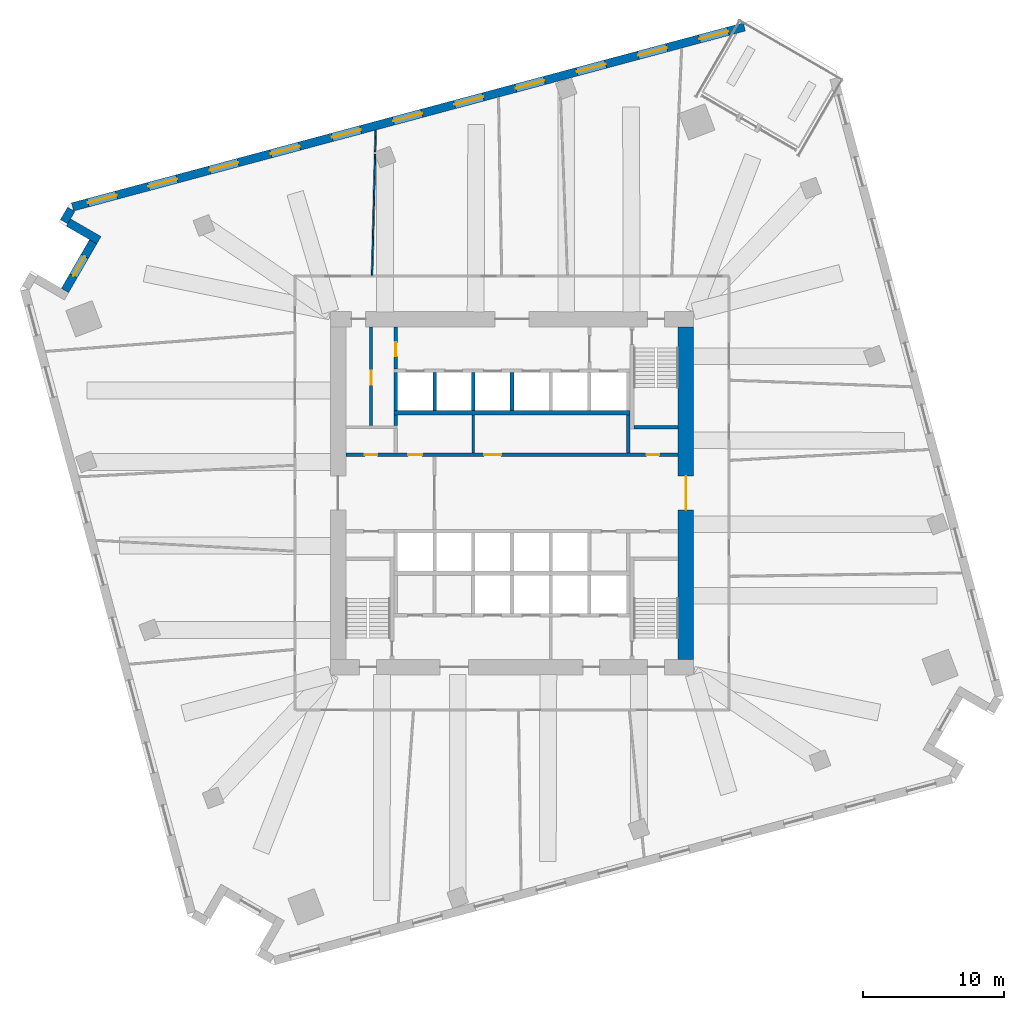
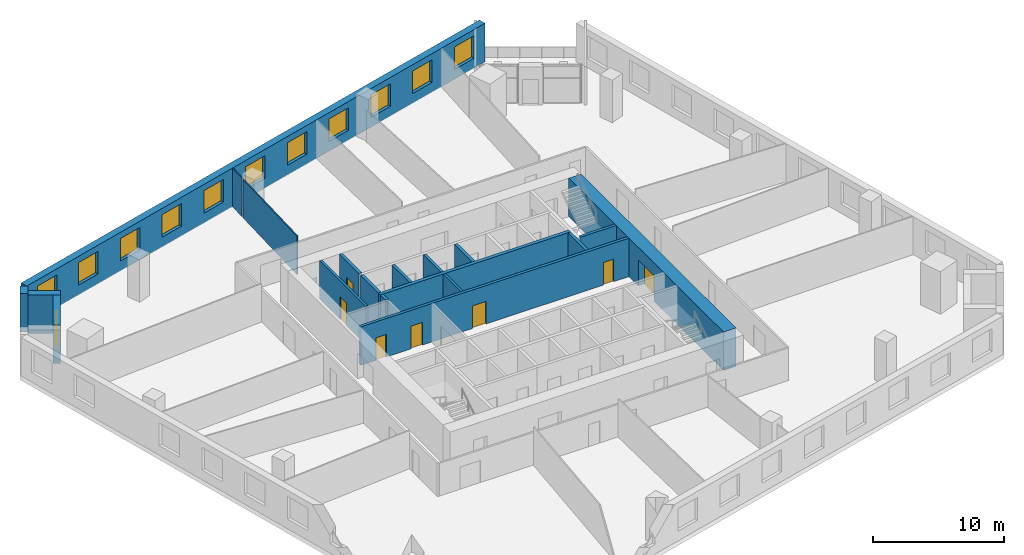
# One storey, part 6 of 11: 19 walls, 12 windows, 7 doors, 19 openings.
"""IFC4 building model written with IfcOpenShell, lengths in metres."""

from ifc_helpers import new_model, si_unit, direction, frame, frame_2d, origin, place, context, subcontext, project, spatial, rectangle, extrude, material, layer, layer_set, type_object, element, fill, save


model = new_model("IFC4")

# Units and contexts
model_context = context("Model", 3, precision=1e-05, world=origin(), true_north=direction((0.0, 1.0)))
body_context = subcontext(model_context, "Body", "Model", "MODEL_VIEW")
ifc_project = project(units=[si_unit("LENGTHUNIT", "METRE"), si_unit("AREAUNIT", "SQUARE_METRE"), si_unit("VOLUMEUNIT", "CUBIC_METRE"), si_unit("PLANEANGLEUNIT", "RADIAN"), si_unit("MASSUNIT", "GRAM", prefix="KILO")], contexts=[model_context])

# Site, building, storey
site_placement = place(None, origin())
site = spatial("IfcSite", under=ifc_project, at=site_placement, CompositionType="ELEMENT")
building_placement = place(site_placement, origin())
building = spatial("IfcBuilding", under=site, at=building_placement, Name="Dilmun Exchange Tower", CompositionType="ELEMENT")
storey_placement = place(building_placement, frame((0.0, 0.0, 82.10009765625)))
storey = spatial("IfcBuildingStorey", under=building, at=storey_placement, Name="L18", CompositionType="ELEMENT", Elevation=82.10009765625)

# Wall
ifc_material_1 = material(Name="Concrete C40/50", Category="concrete")
ifc_layer_1 = layer(ifc_material_1, 0.199951171875)
ifc_layer_set_1 = layer_set([ifc_layer_1], Name="Concrete C40/50")
wall_type_1 = type_object("IfcWallType", Name="Core partition wall 200", PredefinedType="PARTITIONING", material=ifc_layer_set_1)
wall_1_placement = place(storey_placement, frame((-2.75, 2.85498046875, 0.0), z_axis=(0.0, 0.0, 1.0), x_axis=(0.0, 1.0, 0.0)))
element("IfcWall", 1, at=wall_1_placement, inside=storey, type_object=wall_type_1, Name="L18 core partition wall 11", PredefinedType="PARTITIONING", context=body_context, shape_type="SweptSolid", body=[
    extrude(rectangle(XDim=2.68994140625, YDim=0.199951171875, at=frame_2d((1.344970703125, 0.0))), origin(), (0.0, 0.0, 1.0), 3.579833984375),
])

# Wall, opening, door
wall_2_placement = place(storey_placement, frame((-10.0, 4.780029296875, 0.0), z_axis=(0.0, 0.0, 1.0), x_axis=(0.0, 1.0, 0.0)))
wall_2 = element("IfcWall", 2, at=wall_2_placement, inside=storey, type_object=wall_type_1, Name="L18 core partition wall 14", PredefinedType="PARTITIONING", context=body_context, shape_type="SweptSolid", body=[
    extrude(rectangle(XDim=7.014892578125, YDim=0.199951171875, at=frame_2d((3.50732421875, 0.0))), origin(), (0.0, 0.0, 1.0), 3.579833984375),
])
opening_1_placement = place(wall_2_placement, frame((2.919921875, 0.0, 0.0)))
opening_1 = element("IfcOpeningElement", 3, at=opening_1_placement, cuts=wall_2, Name="Opening CD4", PredefinedType="OPENING", context=body_context, shape_type="SweptSolid", body=[
    extrude(rectangle(XDim=1.0, YDim=2.10009765625, at=frame_2d((0.5, 1.050048828125))), frame((0.0, 0.10986328125, 0.0), z_axis=(0.0, -1.0, 0.0), x_axis=(1.0, 0.0, 0.0)), (0.0, 0.0, 1.0), 0.219970703125),
])
ifc_material_2 = material(Name="Fire-rated steel door set", Category="steel")
door_type_1 = type_object("IfcDoorType", Name="Core room door 1000x2100", OperationType="SINGLE_SWING_LEFT", PredefinedType="DOOR", material=ifc_material_2)
door_1_placement = place(opening_1_placement, origin())
door_1 = element("IfcDoor", 4, at=door_1_placement, inside=storey, type_object=door_type_1, Name="L18 door Comms room", OperationType="SINGLE_SWING_LEFT", OverallHeight=2.10009765625, OverallWidth=1.0, PredefinedType="DOOR", context=body_context, shape_type="SweptSolid", body=[
    extrude(rectangle(XDim=1.0, YDim=2.10009765625, at=frame_2d((0.5, 1.050048828125))), frame((0.0, 0.02490234375, 0.0), z_axis=(0.0, -1.0, 0.0), x_axis=(1.0, 0.0, 0.0)), (0.0, 0.0, 1.0), 0.050048828125),
])
fill(opening_1, door_1)

# Wall, openings, doors
ifc_layer_2 = layer(ifc_material_1, 0.25)
ifc_layer_set_2 = layer_set([ifc_layer_2], Name="Concrete C40/50")
wall_type_2 = type_object("IfcWallType", Name="Core partition wall 250", PredefinedType="PARTITIONING", material=ifc_layer_set_2)
wall_3_placement = place(storey_placement, frame((-11.794921875, 2.72509765625, 0.0), z_axis=(0.0, 0.0, 1.0), x_axis=(1.0, 0.0, 0.0)))
wall_3 = element("IfcWall", 5, at=wall_3_placement, inside=storey, type_object=wall_type_2, Name="L18 core partition wall 09", PredefinedType="PARTITIONING", context=body_context, shape_type="SweptSolid", body=[
    extrude(rectangle(XDim=23.58984375, YDim=0.25, at=frame_2d((11.794921875, 0.0))), origin(), (0.0, 0.0, 1.0), 3.579833984375),
])
opening_2_placement = place(wall_3_placement, frame((21.344970703125, 0.0, 0.0)))
opening_2 = element("IfcOpeningElement", 6, at=opening_2_placement, cuts=wall_3, Name="Opening CD6", PredefinedType="OPENING", context=body_context, shape_type="SweptSolid", body=[
    extrude(rectangle(XDim=0.89990234375, YDim=2.10009765625, at=frame_2d((0.449951171875, 1.050048828125))), frame((0.0, 0.135009765625, 0.0), z_axis=(0.0, -1.0, 0.0), x_axis=(1.0, 0.0, 0.0)), (0.0, 0.0, 1.0), 0.27001953125),
])
opening_3_placement = place(wall_3_placement, frame((1.344970703125, 0.0, 0.0)))
opening_3 = element("IfcOpeningElement", 7, at=opening_3_placement, cuts=wall_3, Name="Opening CD6", PredefinedType="OPENING", context=body_context, shape_type="SweptSolid", body=[
    extrude(rectangle(XDim=0.89990234375, YDim=2.10009765625, at=frame_2d((0.449951171875, 1.050048828125))), frame((0.0, 0.135009765625, 0.0), z_axis=(0.0, -1.0, 0.0), x_axis=(1.0, 0.0, 0.0)), (0.0, 0.0, 1.0), 0.27001953125),
])
opening_4_placement = place(wall_3_placement, frame((4.419921875, 0.0, 0.0)))
opening_4 = element("IfcOpeningElement", 8, at=opening_4_placement, cuts=wall_3, Name="Opening CD4", PredefinedType="OPENING", context=body_context, shape_type="SweptSolid", body=[
    extrude(rectangle(XDim=1.0, YDim=2.10009765625, at=frame_2d((0.5, 1.050048828125))), frame((0.0, 0.135009765625, 0.0), z_axis=(0.0, -1.0, 0.0), x_axis=(1.0, 0.0, 0.0)), (0.0, 0.0, 1.0), 0.27001953125),
])
opening_5_placement = place(wall_3_placement, frame((9.820068359375, 0.0, 0.0)))
opening_5 = element("IfcOpeningElement", 9, at=opening_5_placement, cuts=wall_3, Name="Opening CD3", PredefinedType="OPENING", context=body_context, shape_type="SweptSolid", body=[
    extrude(rectangle(XDim=1.199951171875, YDim=2.10009765625, at=frame_2d((0.60009765625, 1.050048828125))), frame((0.0, 0.135009765625, 0.0), z_axis=(0.0, -1.0, 0.0), x_axis=(1.0, 0.0, 0.0)), (0.0, 0.0, 1.0), 0.27001953125),
])
door_2_placement = place(opening_4_placement, origin())
door_2 = element("IfcDoor", 10, at=door_2_placement, inside=storey, type_object=door_type_1, Name="L18 door Mechanical room", OperationType="SINGLE_SWING_LEFT", OverallHeight=2.10009765625, OverallWidth=1.0, PredefinedType="DOOR", context=body_context, shape_type="SweptSolid", body=[
    extrude(rectangle(XDim=1.0, YDim=2.10009765625, at=frame_2d((0.5, 1.050048828125))), frame((0.0, 0.02490234375, 0.0), z_axis=(0.0, -1.0, 0.0), x_axis=(1.0, 0.0, 0.0)), (0.0, 0.0, 1.0), 0.050048828125),
])
fill(opening_4, door_2)
door_type_2 = type_object("IfcDoorType", Name="Core room door 900x2100", OperationType="SINGLE_SWING_LEFT", PredefinedType="DOOR", material=ifc_material_2)
door_3_placement = place(opening_2_placement, origin())
door_3 = element("IfcDoor", 11, at=door_3_placement, inside=storey, type_object=door_type_2, Name="L18 door Electrical riser", OperationType="SINGLE_SWING_LEFT", OverallHeight=2.10009765625, OverallWidth=0.89990234375, PredefinedType="DOOR", context=body_context, shape_type="SweptSolid", body=[
    extrude(rectangle(XDim=0.89990234375, YDim=2.10009765625, at=frame_2d((0.449951171875, 1.050048828125))), frame((0.0, 0.02490234375, 0.0), z_axis=(0.0, -1.0, 0.0), x_axis=(1.0, 0.0, 0.0)), (0.0, 0.0, 1.0), 0.050048828125),
])
fill(opening_2, door_3)
door_4_placement = place(opening_3_placement, origin())
door_4 = element("IfcDoor", 12, at=door_4_placement, inside=storey, type_object=door_type_2, Name="L18 door Plumbing riser", OperationType="SINGLE_SWING_LEFT", OverallHeight=2.10009765625, OverallWidth=0.89990234375, PredefinedType="DOOR", context=body_context, shape_type="SweptSolid", body=[
    extrude(rectangle(XDim=0.89990234375, YDim=2.10009765625, at=frame_2d((0.449951171875, 1.050048828125))), frame((0.0, 0.02490234375, 0.0), z_axis=(0.0, -1.0, 0.0), x_axis=(1.0, 0.0, 0.0)), (0.0, 0.0, 1.0), 0.050048828125),
])
fill(opening_3, door_4)
door_type_3 = type_object("IfcDoorType", Name="Stair exit door 1200x2100", OperationType="SINGLE_SWING_LEFT", PredefinedType="DOOR", material=ifc_material_2)
door_5_placement = place(opening_5_placement, origin())
door_5 = element("IfcDoor", 13, at=door_5_placement, inside=storey, type_object=door_type_3, Name="L18 door Tenant meeting suite", OperationType="SINGLE_SWING_LEFT", OverallHeight=2.10009765625, OverallWidth=1.199951171875, PredefinedType="DOOR", context=body_context, shape_type="SweptSolid", body=[
    extrude(rectangle(XDim=1.199951171875, YDim=2.10009765625, at=frame_2d((0.60009765625, 1.050048828125))), frame((0.0, 0.02490234375, 0.0), z_axis=(0.0, -1.0, 0.0), x_axis=(1.0, 0.0, 0.0)), (0.0, 0.0, 1.0), 0.050048828125),
])
fill(opening_5, door_5)

# Walls
wall_4_placement = place(storey_placement, frame((8.25, 2.85498046875, 0.0), z_axis=(0.0, 0.0, 1.0), x_axis=(0.0, 1.0, 0.0)))
element("IfcWall", 14, at=wall_4_placement, inside=storey, type_object=wall_type_2, Name="L18 core partition wall 12", PredefinedType="PARTITIONING", context=body_context, shape_type="SweptSolid", body=[
    extrude(rectangle(XDim=2.68994140625, YDim=0.25, at=frame_2d((1.344970703125, 0.0))), origin(), (0.0, 0.0, 1.0), 3.579833984375),
])
wall_5_placement = place(storey_placement, frame((-8.25, 4.780029296875, 0.0), z_axis=(0.0, 0.0, 1.0), x_axis=(0.0, 1.0, 0.0)))
element("IfcWall", 15, at=wall_5_placement, inside=storey, type_object=wall_type_2, Name="L18 core partition wall 15", PredefinedType="PARTITIONING", context=body_context, shape_type="SweptSolid", body=[
    extrude(rectangle(XDim=0.764892578125, YDim=0.25, at=frame_2d((0.38232421875, 0.0))), origin(), (0.0, 0.0, 1.0), 3.579833984375),
])

# Wall, opening, door
wall_6_placement = place(storey_placement, frame((-8.25, 8.804931640625, 0.0), z_axis=(0.0, 0.0, 1.0), x_axis=(0.0, 1.0, 0.0)))
wall_6 = element("IfcWall", 16, at=wall_6_placement, inside=storey, type_object=wall_type_2, Name="L18 core partition wall 16", PredefinedType="PARTITIONING", context=body_context, shape_type="SweptSolid", body=[
    extrude(rectangle(XDim=2.989990234375, YDim=0.25, at=frame_2d((1.4951171875, 0.0))), origin(), (0.0, 0.0, 1.0), 3.579833984375),
])
opening_6_placement = place(wall_6_placement, frame((0.89501953125, 0.0, 0.0)))
opening_6 = element("IfcOpeningElement", 17, at=opening_6_placement, cuts=wall_6, Name="Opening CD4", PredefinedType="OPENING", context=body_context, shape_type="SweptSolid", body=[
    extrude(rectangle(XDim=1.0, YDim=2.10009765625, at=frame_2d((0.5, 1.050048828125))), frame((0.0, 0.135009765625, 0.0), z_axis=(0.0, -1.0, 0.0), x_axis=(1.0, 0.0, 0.0)), (0.0, 0.0, 1.0), 0.27001953125),
])
door_6_placement = place(opening_6_placement, origin())
door_6 = element("IfcDoor", 18, at=door_6_placement, inside=storey, type_object=door_type_1, Name="L18 door Security room", OperationType="SINGLE_SWING_LEFT", OverallHeight=2.10009765625, OverallWidth=1.0, PredefinedType="DOOR", context=body_context, shape_type="SweptSolid", body=[
    extrude(rectangle(XDim=1.0, YDim=2.10009765625, at=frame_2d((0.5, 1.050048828125))), frame((0.0, 0.02490234375, 0.0), z_axis=(0.0, -1.0, 0.0), x_axis=(1.0, 0.0, 0.0)), (0.0, 0.0, 1.0), 0.050048828125),
])
fill(opening_6, door_6)

ifc_material_3 = material(Name="Concrete C80/95", Category="concrete")
ifc_layer_3 = layer(ifc_material_3, 1.10009765625)
ifc_layer_set_3 = layer_set([ifc_layer_3], Name="Concrete C80/95")
wall_type_3 = type_object("IfcWallType", Name="Core shear wall 1100 Concrete C80/95", PredefinedType="SHEAR", material=ifc_layer_set_3)
wall_7_placement = place(storey_placement, frame((12.35009765625, -11.800048828125, 0.0), z_axis=(0.0, 0.0, 1.0), x_axis=(0.0, 1.0, 0.0)))
wall_7 = element("IfcWall", 19, at=wall_7_placement, inside=storey, type_object=wall_type_3, Name="L18 core shear wall E", PredefinedType="SHEAR", context=body_context, shape_type="SweptSolid", body=[
    extrude(rectangle(XDim=23.60009765625, YDim=1.10009765625, at=frame_2d((11.800048828125, 0.0))), origin(), (0.0, 0.0, 1.0), 3.579833984375),
])
opening_7_placement = place(wall_7_placement, frame((10.60009765625, 0.0, 0.0)))
opening_7 = element("IfcOpeningElement", 20, at=opening_7_placement, cuts=wall_7, Name="Opening CD1", PredefinedType="OPENING", context=body_context, shape_type="SweptSolid", body=[
    extrude(rectangle(XDim=2.39990234375, YDim=2.39990234375, at=frame_2d((1.199951171875, 1.199951171875))), frame((0.0, 0.56005859375, 0.0), z_axis=(0.0, -1.0, 0.0), x_axis=(1.0, 0.0, 0.0)), (0.0, 0.0, 1.0), 1.1201171875),
])
door_type_4 = type_object("IfcDoorType", Name="Core lobby door 2400x2400", OperationType="DOUBLE_DOOR_DOUBLE_SWING", PredefinedType="DOOR", material=ifc_material_2)
door_7_placement = place(opening_7_placement, origin())
door_7 = element("IfcDoor", 21, at=door_7_placement, inside=storey, type_object=door_type_4, Name="L18 door Central lift lobby", OperationType="SINGLE_SWING_LEFT", OverallHeight=2.39990234375, OverallWidth=2.39990234375, PredefinedType="DOOR", context=body_context, shape_type="SweptSolid", body=[
    extrude(rectangle(XDim=2.39990234375, YDim=2.39990234375, at=frame_2d((1.199951171875, 1.199951171875))), frame((0.0, 0.02490234375, 0.0), z_axis=(0.0, -1.0, 0.0), x_axis=(1.0, 0.0, 0.0)), (0.0, 0.0, 1.0), 0.050048828125),
])
fill(opening_7, door_7)

# Walls
ifc_layer_4 = layer(ifc_material_1, 0.300048828125)
ifc_layer_set_4 = layer_set([ifc_layer_4], Name="Concrete C40/50")
wall_type_4 = type_object("IfcWallType", Name="Lift shaft shared wall 300", PredefinedType="SOLIDWALL", material=ifc_layer_set_4)
wall_8_placement = place(storey_placement, frame((-8.375, 5.699951171875, 0.0), z_axis=(0.0, 0.0, 1.0), x_axis=(1.0, 0.0, 0.0)))
element("IfcWall", 22, at=wall_8_placement, inside=storey, type_object=wall_type_4, Name="L18 lift shaft rear wall N", PredefinedType="SOLIDWALL", context=body_context, shape_type="SweptSolid", body=[
    extrude(rectangle(XDim=16.75, YDim=0.300048828125, at=frame_2d((8.375, 0.0))), origin(), (0.0, 0.0, 1.0), 3.579833984375),
])
ifc_layer_5 = layer(ifc_material_1, 0.25)
ifc_layer_set_5 = layer_set([ifc_layer_5], Name="Concrete C40/50")
wall_type_5 = type_object("IfcWallType", Name="Lift shaft wall 250", PredefinedType="SOLIDWALL", material=ifc_layer_set_5)
for number, where, z_axis, x_axis, name in (
    (23, (-8.25, 5.85009765625, 0.0), (0.0, 0.0, 1.0), (0.0, 1.0, 0.0), "L18 lift shaft divider N20"),
    (24, (-5.5, 5.85009765625, 0.0), (0.0, 0.0, 1.0), (0.0, 1.0, 0.0), "L18 lift shaft divider N21"),
    (25, (-2.75, 5.85009765625, 0.0), (0.0, 0.0, 1.0), (0.0, 1.0, 0.0), "L18 lift shaft divider N22"),
    (26, (0.0, 5.85009765625, 0.0), (0.0, 0.0, 1.0), (0.0, 1.0, 0.0), "L18 lift shaft divider N23"),
):
    element("IfcWall", number, at=place(storey_placement, frame(where, z_axis=z_axis, x_axis=x_axis)), inside=storey, type_object=wall_type_5, Name=name, PredefinedType="SOLIDWALL", context=body_context, shape_type="SweptSolid", body=[
        extrude(rectangle(XDim=2.699951171875, YDim=0.25, at=frame_2d((1.35009765625, 0.0))), origin(), (0.0, 0.0, 1.0), 3.579833984375),
    ])
ifc_material_4 = material(Name="Partition 100")
ifc_layer_6 = layer(ifc_material_4, 0.10009765625)
ifc_layer_set_6 = layer_set([ifc_layer_6], Name="Partition 100")
wall_type_6 = type_object("IfcWallType", Name="Partition 100", PredefinedType="PARTITIONING", material=ifc_layer_set_6)
wall_9_placement = place(storey_placement, frame((-9.93505859375, 15.476318359375, 0.0), z_axis=(0.0, 0.0, 1.0), x_axis=(0.024996463825, 0.999687539582, 0.0)))
element("IfcWall", 27, at=wall_9_placement, inside=storey, type_object=wall_type_6, Name="Partition", PredefinedType="PARTITIONING", context=body_context, shape_type="SweptSolid", body=[
    extrude(rectangle(XDim=8.565673828125, YDim=0.10009765625, at=frame_2d((4.28271484375, 0.0))), origin(), (0.0, 0.0, 1.0), 3.579833984375),
])
wall_10_placement = place(storey_placement, frame((-9.71630859375, 24.2294921875, 0.0), z_axis=(0.0, 0.0, 1.0), x_axis=(0.025011966744, 0.999687151823, 0.0)))
element("IfcWall", 28, at=wall_10_placement, inside=storey, type_object=wall_type_6, Name="Partition", PredefinedType="PARTITIONING", context=body_context, shape_type="SweptSolid", body=[
    extrude(rectangle(XDim=1.542236328125, YDim=0.10009765625, at=frame_2d((0.77099609375, 0.0))), origin(), (0.0, 0.0, 1.0), 3.579833984375),
])

# Wall, openings, windows
ifc_material_5 = material(Name="Precast concrete C50/60", Category="concrete")
ifc_layer_7 = layer(ifc_material_5, 0.60009765625)
ifc_layer_set_7 = layer_set([ifc_layer_7], Name="Precast concrete C50/60")
wall_type_7 = type_object("IfcWallType", Name="Precast stone-clad wall 600", PredefinedType="STANDARD", material=ifc_layer_set_7)
wall_11_placement = place(storey_placement, frame((16.495849609375, 33.09716796875, 0.0), z_axis=(0.0, 0.0, 1.0), x_axis=(-0.965926333894, -0.258817150689, 0.0)))
wall_11 = element("IfcWall", 29, at=wall_11_placement, inside=storey, type_object=wall_type_7, Name="Facade wall L18-03", PredefinedType="STANDARD", context=body_context, shape_type="SweptSolid", body=[
    extrude(rectangle(XDim=49.375732421875, YDim=0.60009765625, at=frame_2d((24.68798828125, 0.0))), origin(), (0.0, 0.0, 1.0), 3.579833984375),
])
opening_8_placement = place(wall_11_placement, frame((1.199951171875, 0.0, 0.89990234375)))
opening_8 = element("IfcOpeningElement", 30, at=opening_8_placement, cuts=wall_11, Name="Opening W210-210", PredefinedType="OPENING", context=body_context, shape_type="SweptSolid", body=[
    extrude(rectangle(XDim=2.10009765625, YDim=2.10009765625, at=frame_2d((1.050048828125, 1.050048828125))), frame((0.0, 0.31005859375, 0.0), z_axis=(0.0, -1.0, 0.0), x_axis=(1.0, 0.0, 0.0)), (0.0, 0.0, 1.0), 0.6201171875),
])
opening_9_placement = place(wall_11_placement, frame((5.699951171875, 0.0, 0.89990234375)))
opening_9 = element("IfcOpeningElement", 31, at=opening_9_placement, cuts=wall_11, Name="Opening W210-210", PredefinedType="OPENING", context=body_context, shape_type="SweptSolid", body=[
    extrude(rectangle(XDim=2.10009765625, YDim=2.10009765625, at=frame_2d((1.050048828125, 1.050048828125))), frame((0.0, 0.31005859375, 0.0), z_axis=(0.0, -1.0, 0.0), x_axis=(1.0, 0.0, 0.0)), (0.0, 0.0, 1.0), 0.6201171875),
])
opening_10_placement = place(wall_11_placement, frame((10.199951171875, 0.0, 0.89990234375)))
opening_10 = element("IfcOpeningElement", 32, at=opening_10_placement, cuts=wall_11, Name="Opening W210-210", PredefinedType="OPENING", context=body_context, shape_type="SweptSolid", body=[
    extrude(rectangle(XDim=2.10009765625, YDim=2.10009765625, at=frame_2d((1.050048828125, 1.050048828125))), frame((0.0, 0.31005859375, 0.0), z_axis=(0.0, -1.0, 0.0), x_axis=(1.0, 0.0, 0.0)), (0.0, 0.0, 1.0), 0.6201171875),
])
opening_11_placement = place(wall_11_placement, frame((14.699951171875, 0.0, 0.89990234375)))
opening_11 = element("IfcOpeningElement", 33, at=opening_11_placement, cuts=wall_11, Name="Opening W210-210", PredefinedType="OPENING", context=body_context, shape_type="SweptSolid", body=[
    extrude(rectangle(XDim=2.10009765625, YDim=2.10009765625, at=frame_2d((1.050048828125, 1.050048828125))), frame((0.0, 0.31005859375, 0.0), z_axis=(0.0, -1.0, 0.0), x_axis=(1.0, 0.0, 0.0)), (0.0, 0.0, 1.0), 0.6201171875),
])
opening_12_placement = place(wall_11_placement, frame((19.199951171875, 0.0, 0.89990234375)))
opening_12 = element("IfcOpeningElement", 34, at=opening_12_placement, cuts=wall_11, Name="Opening W210-210", PredefinedType="OPENING", context=body_context, shape_type="SweptSolid", body=[
    extrude(rectangle(XDim=2.10009765625, YDim=2.10009765625, at=frame_2d((1.050048828125, 1.050048828125))), frame((0.0, 0.31005859375, 0.0), z_axis=(0.0, -1.0, 0.0), x_axis=(1.0, 0.0, 0.0)), (0.0, 0.0, 1.0), 0.6201171875),
])
opening_13_placement = place(wall_11_placement, frame((23.699951171875, 0.0, 0.89990234375)))
opening_13 = element("IfcOpeningElement", 35, at=opening_13_placement, cuts=wall_11, Name="Opening W210-210", PredefinedType="OPENING", context=body_context, shape_type="SweptSolid", body=[
    extrude(rectangle(XDim=2.10009765625, YDim=2.10009765625, at=frame_2d((1.050048828125, 1.050048828125))), frame((0.0, 0.31005859375, 0.0), z_axis=(0.0, -1.0, 0.0), x_axis=(1.0, 0.0, 0.0)), (0.0, 0.0, 1.0), 0.6201171875),
])
opening_14_placement = place(wall_11_placement, frame((28.199951171875, 0.0, 0.89990234375)))
opening_14 = element("IfcOpeningElement", 36, at=opening_14_placement, cuts=wall_11, Name="Opening W210-210", PredefinedType="OPENING", context=body_context, shape_type="SweptSolid", body=[
    extrude(rectangle(XDim=2.10009765625, YDim=2.10009765625, at=frame_2d((1.050048828125, 1.050048828125))), frame((0.0, 0.31005859375, 0.0), z_axis=(0.0, -1.0, 0.0), x_axis=(1.0, 0.0, 0.0)), (0.0, 0.0, 1.0), 0.6201171875),
])
opening_15_placement = place(wall_11_placement, frame((32.699951171875, 0.0, 0.89990234375)))
opening_15 = element("IfcOpeningElement", 37, at=opening_15_placement, cuts=wall_11, Name="Opening W210-210", PredefinedType="OPENING", context=body_context, shape_type="SweptSolid", body=[
    extrude(rectangle(XDim=2.10009765625, YDim=2.10009765625, at=frame_2d((1.050048828125, 1.050048828125))), frame((0.0, 0.31005859375, 0.0), z_axis=(0.0, -1.0, 0.0), x_axis=(1.0, 0.0, 0.0)), (0.0, 0.0, 1.0), 0.6201171875),
])
opening_16_placement = place(wall_11_placement, frame((37.199951171875, 0.0, 0.89990234375)))
opening_16 = element("IfcOpeningElement", 38, at=opening_16_placement, cuts=wall_11, Name="Opening W210-210", PredefinedType="OPENING", context=body_context, shape_type="SweptSolid", body=[
    extrude(rectangle(XDim=2.10009765625, YDim=2.10009765625, at=frame_2d((1.050048828125, 1.050048828125))), frame((0.0, 0.31005859375, 0.0), z_axis=(0.0, -1.0, 0.0), x_axis=(1.0, 0.0, 0.0)), (0.0, 0.0, 1.0), 0.6201171875),
])
opening_17_placement = place(wall_11_placement, frame((41.699951171875, 0.0, 0.89990234375)))
opening_17 = element("IfcOpeningElement", 39, at=opening_17_placement, cuts=wall_11, Name="Opening W210-210", PredefinedType="OPENING", context=body_context, shape_type="SweptSolid", body=[
    extrude(rectangle(XDim=2.10009765625, YDim=2.10009765625, at=frame_2d((1.050048828125, 1.050048828125))), frame((0.0, 0.31005859375, 0.0), z_axis=(0.0, -1.0, 0.0), x_axis=(1.0, 0.0, 0.0)), (0.0, 0.0, 1.0), 0.6201171875),
])
opening_18_placement = place(wall_11_placement, frame((46.137939453125, 0.0, 0.89990234375)))
opening_18 = element("IfcOpeningElement", 40, at=opening_18_placement, cuts=wall_11, Name="Opening W210-210", PredefinedType="OPENING", context=body_context, shape_type="SweptSolid", body=[
    extrude(rectangle(XDim=2.10009765625, YDim=2.10009765625, at=frame_2d((1.050048828125, 1.050048828125))), frame((0.0, 0.31005859375, 0.0), z_axis=(0.0, -1.0, 0.0), x_axis=(1.0, 0.0, 0.0)), (0.0, 0.0, 1.0), 0.6201171875),
])
ifc_material_6 = material(Name="Clear low-emissivity glass in aluminium frame", Category="aluminium")
window_type_1 = type_object("IfcWindowType", Name="Punched window 2100 x 2100", PartitioningType="DOUBLE_PANEL_VERTICAL", PredefinedType="WINDOW", material=ifc_material_6)
window_1_placement = place(opening_8_placement, origin())
window_1 = element("IfcWindow", 41, at=window_1_placement, inside=storey, type_object=window_type_1, Name="Window 4.1", OverallHeight=2.10009765625, OverallWidth=2.10009765625, PartitioningType="SINGLE_PANEL", PredefinedType="WINDOW", context=body_context, shape_type="SweptSolid", body=[
    extrude(rectangle(XDim=2.10009765625, YDim=2.10009765625, at=frame_2d((1.050048828125, 1.050048828125))), frame((0.0, 0.030029296875, 0.0), z_axis=(0.0, -1.0, 0.0), x_axis=(1.0, 0.0, 0.0)), (0.0, 0.0, 1.0), 0.06005859375),
])
fill(opening_8, window_1)
window_2_placement = place(opening_9_placement, origin())
window_2 = element("IfcWindow", 42, at=window_2_placement, inside=storey, type_object=window_type_1, Name="Window 4.2", OverallHeight=2.10009765625, OverallWidth=2.10009765625, PartitioningType="SINGLE_PANEL", PredefinedType="WINDOW", context=body_context, shape_type="SweptSolid", body=[
    extrude(rectangle(XDim=2.10009765625, YDim=2.10009765625, at=frame_2d((1.050048828125, 1.050048828125))), frame((0.0, 0.030029296875, 0.0), z_axis=(0.0, -1.0, 0.0), x_axis=(1.0, 0.0, 0.0)), (0.0, 0.0, 1.0), 0.06005859375),
])
fill(opening_9, window_2)
window_3_placement = place(opening_10_placement, origin())
window_3 = element("IfcWindow", 43, at=window_3_placement, inside=storey, type_object=window_type_1, Name="Window 4.3", OverallHeight=2.10009765625, OverallWidth=2.10009765625, PartitioningType="SINGLE_PANEL", PredefinedType="WINDOW", context=body_context, shape_type="SweptSolid", body=[
    extrude(rectangle(XDim=2.10009765625, YDim=2.10009765625, at=frame_2d((1.050048828125, 1.050048828125))), frame((0.0, 0.030029296875, 0.0), z_axis=(0.0, -1.0, 0.0), x_axis=(1.0, 0.0, 0.0)), (0.0, 0.0, 1.0), 0.06005859375),
])
fill(opening_10, window_3)
window_4_placement = place(opening_11_placement, origin())
window_4 = element("IfcWindow", 44, at=window_4_placement, inside=storey, type_object=window_type_1, Name="Window 4.4", OverallHeight=2.10009765625, OverallWidth=2.10009765625, PartitioningType="SINGLE_PANEL", PredefinedType="WINDOW", context=body_context, shape_type="SweptSolid", body=[
    extrude(rectangle(XDim=2.10009765625, YDim=2.10009765625, at=frame_2d((1.050048828125, 1.050048828125))), frame((0.0, 0.030029296875, 0.0), z_axis=(0.0, -1.0, 0.0), x_axis=(1.0, 0.0, 0.0)), (0.0, 0.0, 1.0), 0.06005859375),
])
fill(opening_11, window_4)
window_5_placement = place(opening_12_placement, origin())
window_5 = element("IfcWindow", 45, at=window_5_placement, inside=storey, type_object=window_type_1, Name="Window 4.5", OverallHeight=2.10009765625, OverallWidth=2.10009765625, PartitioningType="SINGLE_PANEL", PredefinedType="WINDOW", context=body_context, shape_type="SweptSolid", body=[
    extrude(rectangle(XDim=2.10009765625, YDim=2.10009765625, at=frame_2d((1.050048828125, 1.050048828125))), frame((0.0, 0.030029296875, 0.0), z_axis=(0.0, -1.0, 0.0), x_axis=(1.0, 0.0, 0.0)), (0.0, 0.0, 1.0), 0.06005859375),
])
fill(opening_12, window_5)
window_6_placement = place(opening_13_placement, origin())
window_6 = element("IfcWindow", 46, at=window_6_placement, inside=storey, type_object=window_type_1, Name="Window 4.6", OverallHeight=2.10009765625, OverallWidth=2.10009765625, PartitioningType="SINGLE_PANEL", PredefinedType="WINDOW", context=body_context, shape_type="SweptSolid", body=[
    extrude(rectangle(XDim=2.10009765625, YDim=2.10009765625, at=frame_2d((1.050048828125, 1.050048828125))), frame((0.0, 0.030029296875, 0.0), z_axis=(0.0, -1.0, 0.0), x_axis=(1.0, 0.0, 0.0)), (0.0, 0.0, 1.0), 0.06005859375),
])
fill(opening_13, window_6)
window_7_placement = place(opening_14_placement, origin())
window_7 = element("IfcWindow", 47, at=window_7_placement, inside=storey, type_object=window_type_1, Name="Window 4.7", OverallHeight=2.10009765625, OverallWidth=2.10009765625, PartitioningType="SINGLE_PANEL", PredefinedType="WINDOW", context=body_context, shape_type="SweptSolid", body=[
    extrude(rectangle(XDim=2.10009765625, YDim=2.10009765625, at=frame_2d((1.050048828125, 1.050048828125))), frame((0.0, 0.030029296875, 0.0), z_axis=(0.0, -1.0, 0.0), x_axis=(1.0, 0.0, 0.0)), (0.0, 0.0, 1.0), 0.06005859375),
])
fill(opening_14, window_7)
window_8_placement = place(opening_15_placement, origin())
window_8 = element("IfcWindow", 48, at=window_8_placement, inside=storey, type_object=window_type_1, Name="Window 4.8", OverallHeight=2.10009765625, OverallWidth=2.10009765625, PartitioningType="SINGLE_PANEL", PredefinedType="WINDOW", context=body_context, shape_type="SweptSolid", body=[
    extrude(rectangle(XDim=2.10009765625, YDim=2.10009765625, at=frame_2d((1.050048828125, 1.050048828125))), frame((0.0, 0.030029296875, 0.0), z_axis=(0.0, -1.0, 0.0), x_axis=(1.0, 0.0, 0.0)), (0.0, 0.0, 1.0), 0.06005859375),
])
fill(opening_15, window_8)
window_9_placement = place(opening_16_placement, origin())
window_9 = element("IfcWindow", 49, at=window_9_placement, inside=storey, type_object=window_type_1, Name="Window 4.9", OverallHeight=2.10009765625, OverallWidth=2.10009765625, PartitioningType="SINGLE_PANEL", PredefinedType="WINDOW", context=body_context, shape_type="SweptSolid", body=[
    extrude(rectangle(XDim=2.10009765625, YDim=2.10009765625, at=frame_2d((1.050048828125, 1.050048828125))), frame((0.0, 0.030029296875, 0.0), z_axis=(0.0, -1.0, 0.0), x_axis=(1.0, 0.0, 0.0)), (0.0, 0.0, 1.0), 0.06005859375),
])
fill(opening_16, window_9)
window_10_placement = place(opening_17_placement, origin())
window_10 = element("IfcWindow", 50, at=window_10_placement, inside=storey, type_object=window_type_1, Name="Window 4.10", OverallHeight=2.10009765625, OverallWidth=2.10009765625, PartitioningType="SINGLE_PANEL", PredefinedType="WINDOW", context=body_context, shape_type="SweptSolid", body=[
    extrude(rectangle(XDim=2.10009765625, YDim=2.10009765625, at=frame_2d((1.050048828125, 1.050048828125))), frame((0.0, 0.030029296875, 0.0), z_axis=(0.0, -1.0, 0.0), x_axis=(1.0, 0.0, 0.0)), (0.0, 0.0, 1.0), 0.06005859375),
])
fill(opening_17, window_10)
window_11_placement = place(opening_18_placement, origin())
window_11 = element("IfcWindow", 51, at=window_11_placement, inside=storey, type_object=window_type_1, Name="Window 4.11", OverallHeight=2.10009765625, OverallWidth=2.10009765625, PartitioningType="SINGLE_PANEL", PredefinedType="WINDOW", context=body_context, shape_type="SweptSolid", body=[
    extrude(rectangle(XDim=2.10009765625, YDim=2.10009765625, at=frame_2d((1.050048828125, 1.050048828125))), frame((0.0, 0.030029296875, 0.0), z_axis=(0.0, -1.0, 0.0), x_axis=(1.0, 0.0, 0.0)), (0.0, 0.0, 1.0), 0.06005859375),
])
fill(opening_18, window_11)

# Walls
wall_12_placement = place(storey_placement, frame((-31.29736328125, 20.14453125, 0.0), z_axis=(0.0, 0.0, 1.0), x_axis=(-0.500008073096, -0.86602074273, 0.0)))
element("IfcWall", 52, at=wall_12_placement, inside=storey, type_object=wall_type_7, Name="Facade wall L18-04", PredefinedType="STANDARD", context=body_context, shape_type="SweptSolid", body=[
    extrude(rectangle(XDim=1.01123046875, YDim=0.60009765625, at=frame_2d((0.505615234375, 0.0))), origin(), (0.0, 0.0, 1.0), 3.579833984375),
])
wall_13_placement = place(storey_placement, frame((-31.4931640625, 19.205322265625, 0.0), z_axis=(0.0, 0.0, 1.0), x_axis=(0.866022959057, -0.500004234368, 0.0)))
element("IfcWall", 53, at=wall_13_placement, inside=storey, type_object=wall_type_7, Name="Facade wall L18-05", PredefinedType="STANDARD", context=body_context, shape_type="SweptSolid", body=[
    extrude(rectangle(XDim=2.5, YDim=0.60009765625, at=frame_2d((1.25, 0.0))), origin(), (0.0, 0.0, 1.0), 3.579833984375),
])

# Wall, opening, window
wall_14_placement = place(storey_placement, frame((-29.738037109375, 17.845703125, 0.0), z_axis=(0.0, 0.0, 1.0), x_axis=(-0.49999894854, -0.866026010844, 0.0)))
wall_14 = element("IfcWall", 54, at=wall_14_placement, inside=storey, type_object=wall_type_7, Name="Facade wall L18-06", PredefinedType="STANDARD", context=body_context, shape_type="SweptSolid", body=[
    extrude(rectangle(XDim=4.0, YDim=0.60009765625, at=frame_2d((2.0, 0.0))), origin(), (0.0, 0.0, 1.0), 3.579833984375),
])
opening_19_placement = place(wall_14_placement, frame((1.199951171875, 0.0, 0.89990234375)))
opening_19 = element("IfcOpeningElement", 55, at=opening_19_placement, cuts=wall_14, Name="Opening W160-210", PredefinedType="OPENING", context=body_context, shape_type="SweptSolid", body=[
    extrude(rectangle(XDim=1.60009765625, YDim=2.10009765625, at=frame_2d((0.800048828125, 1.050048828125))), frame((0.0, 0.31005859375, 0.0), z_axis=(0.0, -1.0, 0.0), x_axis=(1.0, 0.0, 0.0)), (0.0, 0.0, 1.0), 0.6201171875),
])
window_type_2 = type_object("IfcWindowType", Name="Punched window 1600 x 2100", PartitioningType="DOUBLE_PANEL_VERTICAL", PredefinedType="WINDOW", material=ifc_material_6)
window_12_placement = place(opening_19_placement, origin())
window_12 = element("IfcWindow", 56, at=window_12_placement, inside=storey, type_object=window_type_2, Name="Window 7.1", OverallHeight=2.10009765625, OverallWidth=1.60009765625, PartitioningType="SINGLE_PANEL", PredefinedType="WINDOW", context=body_context, shape_type="SweptSolid", body=[
    extrude(rectangle(XDim=1.60009765625, YDim=2.10009765625, at=frame_2d((0.800048828125, 1.050048828125))), frame((0.0, 0.030029296875, 0.0), z_axis=(0.0, -1.0, 0.0), x_axis=(1.0, 0.0, 0.0)), (0.0, 0.0, 1.0), 0.06005859375),
])
fill(opening_19, window_12)

# Wall
ifc_layer_8 = layer(ifc_material_1, 0.25)
ifc_layer_set_8 = layer_set([ifc_layer_8], Name="Concrete C40/50")
wall_type_8 = type_object("IfcWallType", Name="Stair end wall 250", PredefinedType="SOLIDWALL", material=ifc_layer_set_8)
wall_15_placement = place(storey_placement, frame((8.64990234375, 4.675048828125, 0.0), z_axis=(0.0, 0.0, 1.0), x_axis=(1.0, 0.0, 0.0)))
element("IfcWall", 57, at=wall_15_placement, inside=storey, type_object=wall_type_8, Name="L18 ST1 far wall", PredefinedType="SOLIDWALL", context=body_context, shape_type="SweptSolid", body=[
    extrude(rectangle(XDim=3.150146484375, YDim=0.25, at=frame_2d((1.5751953125, 0.0))), origin(), (0.0, 0.0, 1.0), 3.579833984375),
])

save(model, "model.ifc")
